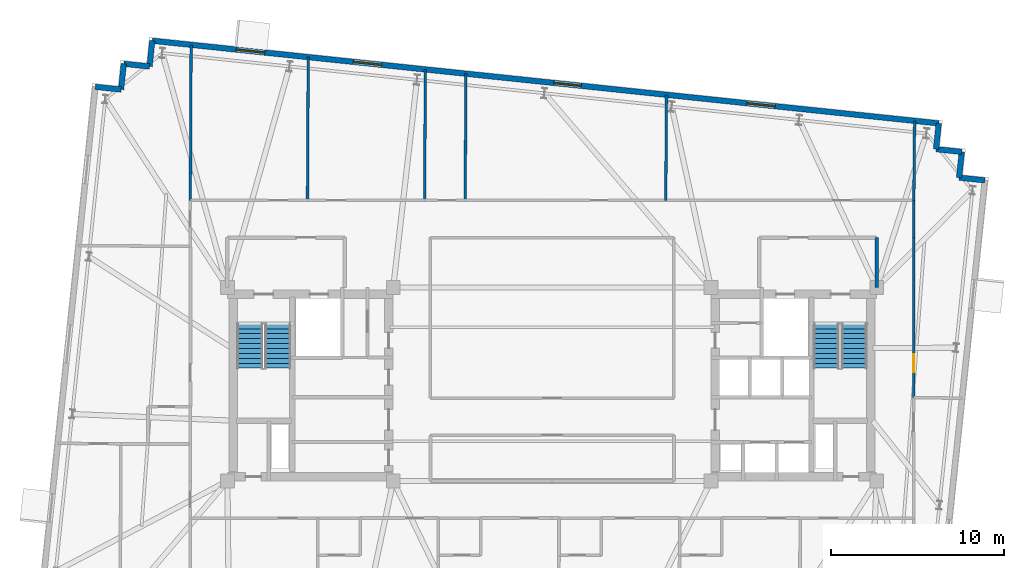
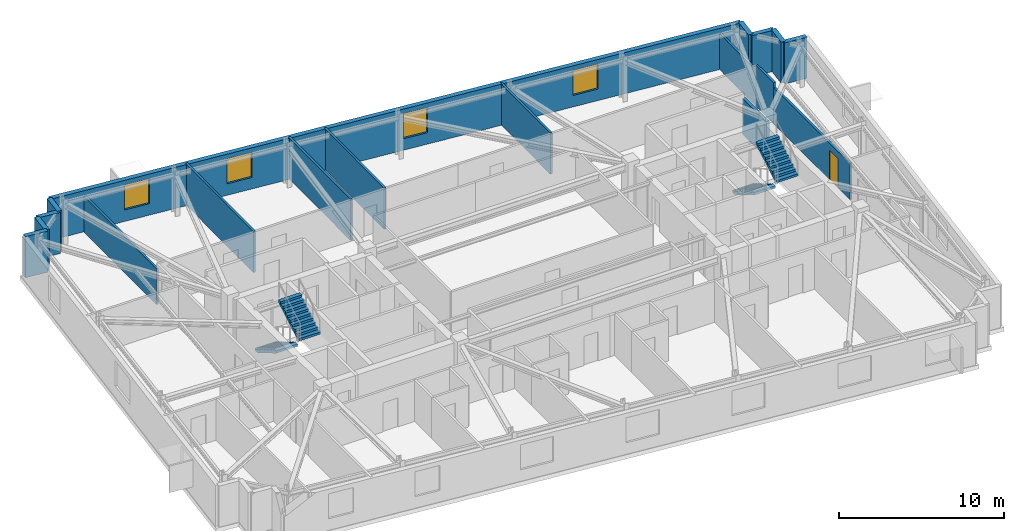
# One storey, part 9 of 11: 18 walls, 4 stair flights, 4 windows, 1 door, 5 openings, 2 elements without a shape of their own.
"""IFC4 building model written with IfcOpenShell, lengths in metres."""

from ifc_helpers import new_model, si_unit, direction, frame, frame_2d, origin, place, context, subcontext, project, spatial, polyline, rectangle, outline, extrude, material, layer, layer_set, type_object, element, fill, aggregate, save


model = new_model("IFC4")

# Units and contexts
model_context = context("Model", 3, precision=1e-05, world=origin(), true_north=direction((0.0, 1.0)))
body_context = subcontext(model_context, "Body", "Model", "MODEL_VIEW")
ifc_project = project(units=[si_unit("LENGTHUNIT", "METRE"), si_unit("AREAUNIT", "SQUARE_METRE"), si_unit("VOLUMEUNIT", "CUBIC_METRE"), si_unit("PLANEANGLEUNIT", "RADIAN"), si_unit("MASSUNIT", "GRAM", prefix="KILO")], contexts=[model_context])

# Site, building, storey
site_placement = place(None, origin())
site = spatial("IfcSite", under=ifc_project, at=site_placement, CompositionType="ELEMENT")
building_placement = place(site_placement, origin())
building = spatial("IfcBuilding", under=site, at=building_placement, Name="Qobustan Lattice House", CompositionType="ELEMENT")
storey_placement = place(building_placement, frame((0.0, 0.0, 216.5)))
storey = spatial("IfcBuildingStorey", under=building, at=storey_placement, Name="L61", CompositionType="ELEMENT", Elevation=216.5)

# Walls
ifc_material_1 = material(Name="Precast concrete C40/50", Category="concrete")
ifc_layer_1 = layer(ifc_material_1, 0.320068359375)
ifc_layer_set_1 = layer_set([ifc_layer_1], Name="Precast concrete C40/50")
wall_type_1 = type_object("IfcWallType", Name="WAL-EXT-STONE-320", PredefinedType="SOLIDWALL", material=ifc_layer_set_1)
wall_1_placement = place(storey_placement, frame((-26.452880859375, 17.228515625, 0.0), z_axis=(0.0, 0.0, 1.0), x_axis=(0.994508128223, -0.104659366031, 0.0)))
element("IfcWall", 1, at=wall_1_placement, inside=storey, type_object=wall_type_1, Name="L61 exterior limestone-clad wall 6", PredefinedType="SOLIDWALL", context=body_context, shape_type="SweptSolid", body=[
    extrude(rectangle(XDim=1.5, YDim=0.320068359375, at=frame_2d((0.75, 0.0))), origin(), (0.0, 0.0, 1.0), 3.0400390625),
])
wall_2_placement = place(storey_placement, frame((-24.961181640625, 17.071533203125, 0.0), z_axis=(0.0, 0.0, 1.0), x_axis=(0.104642427191, 0.994509910675, 0.0)))
element("IfcWall", 2, at=wall_2_placement, inside=storey, type_object=wall_type_1, Name="L61 exterior limestone-clad wall 7", PredefinedType="SOLIDWALL", context=body_context, shape_type="SweptSolid", body=[
    extrude(rectangle(XDim=1.500244140625, YDim=0.320068359375, at=frame_2d((0.75, 0.0))), origin(), (0.0, 0.0, 1.0), 3.0400390625),
])
wall_3_placement = place(storey_placement, frame((-24.80419921875, 18.5634765625, 0.0), z_axis=(0.0, 0.0, 1.0), x_axis=(0.994508128223, -0.104659366031, 0.0)))
element("IfcWall", 3, at=wall_3_placement, inside=storey, type_object=wall_type_1, Name="L61 exterior limestone-clad wall 8", PredefinedType="SOLIDWALL", context=body_context, shape_type="SweptSolid", body=[
    extrude(rectangle(XDim=1.5, YDim=0.320068359375, at=frame_2d((0.75, 0.0))), origin(), (0.0, 0.0, 1.0), 3.0400390625),
])
wall_4_placement = place(storey_placement, frame((-23.3125, 18.406494140625, 0.0), z_axis=(0.0, 0.0, 1.0), x_axis=(0.104481464157, 0.994526834051, 0.0)))
element("IfcWall", 4, at=wall_4_placement, inside=storey, type_object=wall_type_1, Name="L61 exterior limestone-clad wall 9", PredefinedType="SOLIDWALL", context=body_context, shape_type="SweptSolid", body=[
    extrude(rectangle(XDim=1.500244140625, YDim=0.320068359375, at=frame_2d((0.75, 0.0))), origin(), (0.0, 0.0, 1.0), 3.0400390625),
])

# Wall, openings, windows
wall_5_placement = place(storey_placement, frame((-23.15576171875, 19.8984375, 0.0), z_axis=(0.0, 0.0, 1.0), x_axis=(0.994522001802, -0.104527450613, 0.0)))
wall_5 = element("IfcWall", 5, at=wall_5_placement, inside=storey, type_object=wall_type_1, Name="L61 exterior limestone-clad wall 10", PredefinedType="SOLIDWALL", context=body_context, shape_type="SweptSolid", body=[
    extrude(rectangle(XDim=45.800048828125, YDim=0.320068359375, at=frame_2d((22.89990234375, 0.0))), origin(), (0.0, 0.0, 1.0), 3.0400390625),
])
opening_1_placement = place(wall_5_placement, frame((4.89990234375, 0.0, 0.85009765625)))
opening_1 = element("IfcOpeningElement", 6, at=opening_1_placement, cuts=wall_5, Name="Opening WN-09", PredefinedType="OPENING", context=body_context, shape_type="SweptSolid", body=[
    extrude(rectangle(XDim=1.64990234375, YDim=1.85009765625, at=frame_2d((0.824951171875, 0.925048828125))), frame((0.0, 0.169921875, 0.0), z_axis=(0.0, -1.0, 0.0), x_axis=(1.0, 0.0, 0.0)), (0.0, 0.0, 1.0), 0.340087890625),
])
opening_2_placement = place(wall_5_placement, frame((11.7060546875, 0.0, 0.85009765625)))
opening_2 = element("IfcOpeningElement", 7, at=opening_2_placement, cuts=wall_5, Name="Opening WN-09", PredefinedType="OPENING", context=body_context, shape_type="SweptSolid", body=[
    extrude(rectangle(XDim=1.64990234375, YDim=1.85009765625, at=frame_2d((0.824951171875, 0.925048828125))), frame((0.0, 0.169921875, 0.0), z_axis=(0.0, -1.0, 0.0), x_axis=(1.0, 0.0, 0.0)), (0.0, 0.0, 1.0), 0.340087890625),
])
opening_3_placement = place(wall_5_placement, frame((23.381103515625, 0.0, 0.85009765625)))
opening_3 = element("IfcOpeningElement", 8, at=opening_3_placement, cuts=wall_5, Name="Opening WN-13", PredefinedType="OPENING", context=body_context, shape_type="SweptSolid", body=[
    extrude(rectangle(XDim=1.60009765625, YDim=1.85009765625, at=frame_2d((0.800048828125, 0.925048828125))), frame((0.0, 0.169921875, 0.0), z_axis=(0.0, -1.0, 0.0), x_axis=(1.0, 0.0, 0.0)), (0.0, 0.0, 1.0), 0.340087890625),
])
opening_4_placement = place(wall_5_placement, frame((34.628173828125, 0.0, 0.85009765625)))
opening_4 = element("IfcOpeningElement", 9, at=opening_4_placement, cuts=wall_5, Name="Opening WN-09", PredefinedType="OPENING", context=body_context, shape_type="SweptSolid", body=[
    extrude(rectangle(XDim=1.64990234375, YDim=1.85009765625, at=frame_2d((0.824951171875, 0.925048828125))), frame((0.0, 0.169921875, 0.0), z_axis=(0.0, -1.0, 0.0), x_axis=(1.0, 0.0, 0.0)), (0.0, 0.0, 1.0), 0.340087890625),
])
ifc_material_2 = material(Name="Double-glazed low-E aluminium window", Category="aluminium")
window_type_1 = type_object("IfcWindowType", Name="WIN-BED-1600x1850", PartitioningType="SINGLE_PANEL", PredefinedType="WINDOW", material=ifc_material_2)
window_1_placement = place(opening_3_placement, origin())
window_1 = element("IfcWindow", 10, at=window_1_placement, inside=storey, type_object=window_type_1, Name="L61 Laundry utility room window", OverallHeight=1.85009765625, OverallWidth=1.60009765625, PartitioningType="SINGLE_PANEL", PredefinedType="WINDOW", context=body_context, shape_type="SweptSolid", body=[
    extrude(rectangle(XDim=1.60009765625, YDim=1.85009765625, at=frame_2d((0.800048828125, 0.925048828125))), frame((0.0, 0.030029296875, 0.0), z_axis=(0.0, -1.0, 0.0), x_axis=(1.0, 0.0, 0.0)), (0.0, 0.0, 1.0), 0.06005859375),
])
fill(opening_3, window_1)
ifc_material_3 = material(Name="Double-glazed low-E aluminium window", Category="aluminium")
window_type_2 = type_object("IfcWindowType", Name="WIN-STU-1650x1850", PartitioningType="SINGLE_PANEL", PredefinedType="WINDOW", material=ifc_material_3)
window_2_placement = place(opening_1_placement, origin())
window_2 = element("IfcWindow", 11, at=window_2_placement, inside=storey, type_object=window_type_2, Name="L61 Focus study room N1A window", OverallHeight=1.85009765625, OverallWidth=1.64990234375, PartitioningType="SINGLE_PANEL", PredefinedType="WINDOW", context=body_context, shape_type="SweptSolid", body=[
    extrude(rectangle(XDim=1.64990234375, YDim=1.85009765625, at=frame_2d((0.824951171875, 0.925048828125))), frame((0.0, 0.030029296875, 0.0), z_axis=(0.0, -1.0, 0.0), x_axis=(1.0, 0.0, 0.0)), (0.0, 0.0, 1.0), 0.06005859375),
])
fill(opening_1, window_2)
window_3_placement = place(opening_2_placement, origin())
window_3 = element("IfcWindow", 12, at=window_3_placement, inside=storey, type_object=window_type_2, Name="L61 Focus study room N1B window", OverallHeight=1.85009765625, OverallWidth=1.64990234375, PartitioningType="SINGLE_PANEL", PredefinedType="WINDOW", context=body_context, shape_type="SweptSolid", body=[
    extrude(rectangle(XDim=1.64990234375, YDim=1.85009765625, at=frame_2d((0.824951171875, 0.925048828125))), frame((0.0, 0.030029296875, 0.0), z_axis=(0.0, -1.0, 0.0), x_axis=(1.0, 0.0, 0.0)), (0.0, 0.0, 1.0), 0.06005859375),
])
fill(opening_2, window_3)
window_4_placement = place(opening_4_placement, origin())
window_4 = element("IfcWindow", 13, at=window_4_placement, inside=storey, type_object=window_type_2, Name="L61 Focus study room N3 window", OverallHeight=1.85009765625, OverallWidth=1.64990234375, PartitioningType="SINGLE_PANEL", PredefinedType="WINDOW", context=body_context, shape_type="SweptSolid", body=[
    extrude(rectangle(XDim=1.64990234375, YDim=1.85009765625, at=frame_2d((0.824951171875, 0.925048828125))), frame((0.0, 0.030029296875, 0.0), z_axis=(0.0, -1.0, 0.0), x_axis=(1.0, 0.0, 0.0)), (0.0, 0.0, 1.0), 0.06005859375),
])
fill(opening_4, window_4)

# Walls
wall_6_placement = place(storey_placement, frame((22.393310546875, 15.111083984375, 0.0), z_axis=(0.0, 0.0, 1.0), x_axis=(-0.104481464157, -0.994526834051, 0.0)))
element("IfcWall", 14, at=wall_6_placement, inside=storey, type_object=wall_type_1, Name="L61 exterior limestone-clad wall 11", PredefinedType="SOLIDWALL", context=body_context, shape_type="SweptSolid", body=[
    extrude(rectangle(XDim=1.500244140625, YDim=0.320068359375, at=frame_2d((0.75, 0.0))), origin(), (0.0, 0.0, 1.0), 3.0400390625),
])
for number, where, z_axis, x_axis, name in (
    (15, (22.236572265625, 13.619140625, 0.0), (0.0, 0.0, 1.0), (0.994525057048, -0.104498377516, 0.0), "L61 exterior limestone-clad wall 12"),
    (16, (23.728271484375, 13.46240234375, 0.0), (0.0, 0.0, 1.0), (-0.104498377516, -0.994525057048, 0.0), "L61 exterior limestone-clad wall 13"),
    (17, (23.571533203125, 11.970703125, 0.0), (0.0, 0.0, 1.0), (0.994508128223, -0.104659366031, 0.0), "L61 exterior limestone-clad wall 14"),
):
    element("IfcWall", number, at=place(storey_placement, frame(where, z_axis=z_axis, x_axis=x_axis)), inside=storey, type_object=wall_type_1, Name=name, PredefinedType="SOLIDWALL", context=body_context, shape_type="SweptSolid", body=[
        extrude(rectangle(XDim=1.5, YDim=0.320068359375, at=frame_2d((0.75, 0.0))), origin(), (0.0, 0.0, 1.0), 3.0400390625),
    ])
ifc_material_4 = material(Name="Acoustic twin-stud gypsum partition", Category="gypsum")
ifc_layer_2 = layer(ifc_material_4, 0.14990234375)
ifc_layer_set_2 = layer_set([ifc_layer_2], Name="Acoustic twin-stud gypsum partition")
wall_type_2 = type_object("IfcWallType", Name="WAL-PART-150", PredefinedType="PARTITIONING", material=ifc_layer_set_2)
wall_7_placement = place(storey_placement, frame((20.949951171875, 10.64990234375, 0.0), z_axis=(0.0, 0.0, 1.0), x_axis=(0.0, -1.0, 0.0)))
element("IfcWall", 18, at=wall_7_placement, inside=storey, type_object=wall_type_2, Name="L61 interior partition 40", PredefinedType="PARTITIONING", context=body_context, shape_type="SweptSolid", body=[
    extrude(rectangle(XDim=2.14990234375, YDim=0.14990234375, at=frame_2d((1.074951171875, 0.0))), origin(), (0.0, 0.0, 1.0), 3.0400390625),
])

# Wall, opening, door
wall_8_placement = place(storey_placement, frame((20.949951171875, 8.5, 0.0), z_axis=(0.0, 0.0, 1.0), x_axis=(0.0, -1.0, 0.0)))
wall_8 = element("IfcWall", 19, at=wall_8_placement, inside=storey, type_object=wall_type_2, Name="L61 interior partition 64", PredefinedType="PARTITIONING", context=body_context, shape_type="SweptSolid", body=[
    extrude(rectangle(XDim=9.26318359375, YDim=0.14990234375, at=frame_2d((4.631591796875, 0.0))), origin(), (0.0, 0.0, 1.0), 2.695068359375),
])
opening_5_placement = place(wall_8_placement, frame((6.75146484375, 0.0, 0.0)))
opening_5 = element("IfcOpeningElement", 20, at=opening_5_placement, cuts=wall_8, Name="Opening ID-02", PredefinedType="OPENING", context=body_context, shape_type="SweptSolid", body=[
    extrude(rectangle(XDim=1.050048828125, YDim=2.14990234375, at=frame_2d((0.52490234375, 1.074951171875))), frame((0.0, 0.0849609375, 0.0), z_axis=(0.0, -1.0, 0.0), x_axis=(1.0, 0.0, 0.0)), (0.0, 0.0, 1.0), 0.169921875),
])
ifc_material_5 = material(Name="Persian walnut timber and steel frame door", Category="steel")
door_type = type_object("IfcDoorType", Name="DOR-STUDY-1050x2150", OperationType="NOTDEFINED", PredefinedType="DOOR", material=ifc_material_5)
door_placement = place(opening_5_placement, origin())
door = element("IfcDoor", 21, at=door_placement, inside=storey, type_object=door_type, Name="L61 East wing spine gallery to Collaborative tutorial room door", OperationType="SINGLE_SWING_LEFT", OverallHeight=2.14990234375, OverallWidth=1.050048828125, PredefinedType="DOOR", context=body_context, shape_type="SweptSolid", body=[
    extrude(rectangle(XDim=1.050048828125, YDim=2.14990234375, at=frame_2d((0.52490234375, 1.074951171875))), frame((0.0, 0.02490234375, 0.0), z_axis=(0.0, -1.0, 0.0), x_axis=(1.0, 0.0, 0.0)), (0.0, 0.0, 1.0), 0.050048828125),
])
fill(opening_5, door)

# Walls
wall_9_placement = place(storey_placement, frame((-20.906005859375, 19.661865234375, 0.0), z_axis=(0.0, 0.0, 1.0), x_axis=(-0.004876272857, -0.999988110911, 0.0)))
element("IfcWall", 22, at=wall_9_placement, inside=storey, type_object=wall_type_2, Name="L61 interior partition 79", PredefinedType="PARTITIONING", context=body_context, shape_type="SweptSolid", body=[
    extrude(rectangle(XDim=9.011962890625, YDim=0.14990234375, at=frame_2d((4.505859375, 0.0))), origin(), (0.0, 0.0, 1.0), 2.6650390625),
])
wall_10_placement = place(storey_placement, frame((20.949951171875, 10.64990234375, 0.0), z_axis=(0.0, 0.0, 1.0), x_axis=(0.009535990233, 0.999954531411, 0.0)))
element("IfcWall", 23, at=wall_10_placement, inside=storey, type_object=wall_type_2, Name="L61 interior partition 82", PredefinedType="PARTITIONING", context=body_context, shape_type="SweptSolid", body=[
    extrude(rectangle(XDim=4.6083984375, YDim=0.14990234375, at=frame_2d((2.30419921875, 0.0))), origin(), (0.0, 0.0, 1.0), 2.6650390625),
])
wall_11_placement = place(storey_placement, frame((-14.12255859375, 18.948974609375, 0.0), z_axis=(0.0, 0.0, 1.0), x_axis=(-0.005295133602, -0.999985980682, 0.0)))
element("IfcWall", 24, at=wall_11_placement, inside=storey, type_object=wall_type_2, Name="L61 interior partition 83", PredefinedType="PARTITIONING", context=body_context, shape_type="SweptSolid", body=[
    extrude(rectangle(XDim=8.299072265625, YDim=0.14990234375, at=frame_2d((4.1494140625, 0.0))), origin(), (0.0, 0.0, 1.0), 3.0400390625),
])
wall_12_placement = place(storey_placement, frame((6.626953125, 16.76806640625, 0.0), z_axis=(0.0, 0.0, 1.0), x_axis=(-0.007182576093, -0.999974204968, 0.0)))
element("IfcWall", 25, at=wall_12_placement, inside=storey, type_object=wall_type_2, Name="L61 interior partition 86", PredefinedType="PARTITIONING", context=body_context, shape_type="SweptSolid", body=[
    extrude(rectangle(XDim=6.118408203125, YDim=0.14990234375, at=frame_2d((3.05908203125, 0.0))), origin(), (0.0, 0.0, 1.0), 3.0400390625),
])
ifc_material_6 = material(Name="Two-hour gypsum fireboard acoustic partition", Category="gypsum")
ifc_layer_3 = layer(ifc_material_6, 0.199951171875)
ifc_layer_set_3 = layer_set([ifc_layer_3], Name="Two-hour gypsum fireboard acoustic partition")
wall_type_3 = type_object("IfcWallType", Name="WAL-PROT-200", PredefinedType="PARTITIONING", material=ifc_layer_set_3)
wall_13_placement = place(storey_placement, frame((18.800048828125, 5.60009765625, 0.0), z_axis=(0.0, 0.0, 1.0), x_axis=(0.0, 1.0, 0.0)))
element("IfcWall", 26, at=wall_13_placement, inside=storey, type_object=wall_type_3, Name="L61 interior partition 19", PredefinedType="PARTITIONING", context=body_context, shape_type="SweptSolid", body=[
    extrude(rectangle(XDim=2.89990234375, YDim=0.199951171875, at=frame_2d((1.449951171875, 0.0))), origin(), (0.0, 0.0, 1.0), 2.6650390625),
])
ifc_material_7 = material(Name="Moisture-resistant acoustic plumbing wall", Category="gypsum")
ifc_layer_4 = layer(ifc_material_7, 0.14990234375)
ifc_layer_set_4 = layer_set([ifc_layer_4], Name="Moisture-resistant acoustic plumbing wall")
wall_type_4 = type_object("IfcWallType", Name="WAL-WET-150", PredefinedType="PLUMBINGWALL", material=ifc_layer_set_4)
wall_14_placement = place(storey_placement, frame((-7.339111328125, 18.236083984375, 0.0), z_axis=(0.0, 0.0, 1.0), x_axis=(-0.005792713287, -0.999983222096, 0.0)))
element("IfcWall", 27, at=wall_14_placement, inside=storey, type_object=wall_type_4, Name="L61 interior partition 84", PredefinedType="PLUMBINGWALL", context=body_context, shape_type="SweptSolid", body=[
    extrude(rectangle(XDim=7.58642578125, YDim=0.14990234375, at=frame_2d((3.793212890625, 0.0))), origin(), (0.0, 0.0, 1.0), 3.0400390625),
])
wall_15_placement = place(storey_placement, frame((-4.989013671875, 17.989013671875, 0.0), z_axis=(0.0, 0.0, 1.0), x_axis=(-0.005987717415, -0.999982073459, 0.0)))
element("IfcWall", 28, at=wall_15_placement, inside=storey, type_object=wall_type_4, Name="L61 interior partition 85", PredefinedType="PLUMBINGWALL", context=body_context, shape_type="SweptSolid", body=[
    extrude(rectangle(XDim=7.33935546875, YDim=0.14990234375, at=frame_2d((3.669677734375, 0.0))), origin(), (0.0, 0.0, 1.0), 3.0400390625),
])

# Stair, stair flights
ifc_material_8 = material(Name="Concrete C40/50", Category="concrete")
stair_type = type_object("IfcStairType", Name="STR-CORE-DOGLEG", PredefinedType="HALF_TURN_STAIR", material=ifc_material_8)
stair_1_placement = place(storey_placement, origin())
stair_1 = element("IfcStair", 29, at=stair_1_placement, inside=storey, type_object=stair_type, Name="L61 West protected exit stair ST-W1", PredefinedType="HALF_TURN_STAIR")
ifc_material_9 = material(Name="Concrete C40/50", Category="concrete")
stair_flight_type = type_object("IfcStairFlightType", Name="SFL-RC-1500", PredefinedType="STRAIGHT", material=ifc_material_9)
stair_flight_1_placement = place(storey_placement, frame((-17.5, 3.5, 0.0), z_axis=(0.0, 0.0, 1.0), x_axis=(0.0, -1.0, 0.0)))
stair_flight_1 = element("IfcStairFlight", 30, at=stair_flight_1_placement, type_object=stair_flight_type, Name="ST-W1 flight 1", NumberOfRisers=10, NumberOfTreads=9, PredefinedType="STRAIGHT", RiserHeight=0.1675, TreadLength=0.285, context=body_context, shape_type="SweptSolid", body=[
    extrude(outline(polyline([(0.0, 0.0), (0.0, 0.16748046875), (0.284912109375, 0.16748046875), (0.284912109375, 0.3349609375), (0.570068359375, 0.3349609375), (0.570068359375, 0.50244140625), (0.85498046875, 0.50244140625), (0.85498046875, 0.669921875), (1.139892578125, 0.669921875), (1.139892578125, 0.83740234375), (1.425048828125, 0.83740234375), (1.425048828125, 1.0048828125), (1.7099609375, 1.0048828125), (1.7099609375, 1.172607421875), (1.9951171875, 1.172607421875), (1.9951171875, 1.340087890625), (2.280029296875, 1.340087890625), (2.280029296875, 1.507568359375), (2.56494140625, 1.507568359375), (2.56494140625, 1.675048828125), (2.56494140625, 1.333740234375), (0.2958984375, 0.0), (0.0, 0.0)])), frame((0.0, 0.75, 0.0), z_axis=(0.0, -1.0, 0.0), x_axis=(1.0, 0.0, 0.0)), (0.0, 0.0, 1.0), 1.5),
])
stair_flight_2_placement = place(storey_placement, frame((-15.8798828125, 0.93505859375, 1.675048828125), z_axis=(0.0, 0.0, 1.0), x_axis=(0.0, 1.0, 0.0)))
stair_flight_2 = element("IfcStairFlight", 31, at=stair_flight_2_placement, type_object=stair_flight_type, Name="ST-W1 flight 2", NumberOfRisers=10, NumberOfTreads=9, PredefinedType="STRAIGHT", RiserHeight=0.1675, TreadLength=0.285, context=body_context, shape_type="SweptSolid", body=[
    extrude(outline(polyline([(0.0, 0.0), (0.0, 0.16748046875), (0.284912109375, 0.16748046875), (0.284912109375, 0.3349609375), (0.570068359375, 0.3349609375), (0.570068359375, 0.50244140625), (0.85498046875, 0.50244140625), (0.85498046875, 0.669921875), (1.139892578125, 0.669921875), (1.139892578125, 0.83740234375), (1.425048828125, 0.83740234375), (1.425048828125, 1.0048828125), (1.7099609375, 1.0048828125), (1.7099609375, 1.172607421875), (1.9951171875, 1.172607421875), (1.9951171875, 1.340087890625), (2.280029296875, 1.340087890625), (2.280029296875, 1.507568359375), (2.56494140625, 1.507568359375), (2.56494140625, 1.675048828125), (2.56494140625, 1.333740234375), (0.2958984375, 0.0), (0.0, 0.0)])), frame((0.0, 0.75, 0.0), z_axis=(0.0, -1.0, 0.0), x_axis=(1.0, 0.0, 0.0)), (0.0, 0.0, 1.0), 1.5),
])
aggregate(stair_1, [stair_flight_1, stair_flight_2])

stair_2_placement = place(storey_placement, origin())
stair_2 = element("IfcStair", 32, at=stair_2_placement, inside=storey, type_object=stair_type, Name="L61 East protected exit stair ST-E1", PredefinedType="HALF_TURN_STAIR")
stair_flight_3_placement = place(storey_placement, frame((15.8798828125, 3.5, 0.0), z_axis=(0.0, 0.0, 1.0), x_axis=(0.0, -1.0, 0.0)))
stair_flight_3 = element("IfcStairFlight", 33, at=stair_flight_3_placement, type_object=stair_flight_type, Name="ST-E1 flight 1", NumberOfRisers=10, NumberOfTreads=9, PredefinedType="STRAIGHT", RiserHeight=0.1675, TreadLength=0.285, context=body_context, shape_type="SweptSolid", body=[
    extrude(outline(polyline([(0.0, 0.0), (0.0, 0.16748046875), (0.284912109375, 0.16748046875), (0.284912109375, 0.3349609375), (0.570068359375, 0.3349609375), (0.570068359375, 0.50244140625), (0.85498046875, 0.50244140625), (0.85498046875, 0.669921875), (1.139892578125, 0.669921875), (1.139892578125, 0.83740234375), (1.425048828125, 0.83740234375), (1.425048828125, 1.0048828125), (1.7099609375, 1.0048828125), (1.7099609375, 1.172607421875), (1.9951171875, 1.172607421875), (1.9951171875, 1.340087890625), (2.280029296875, 1.340087890625), (2.280029296875, 1.507568359375), (2.56494140625, 1.507568359375), (2.56494140625, 1.675048828125), (2.56494140625, 1.333740234375), (0.2958984375, 0.0), (0.0, 0.0)])), frame((0.0, 0.75, 0.0), z_axis=(0.0, -1.0, 0.0), x_axis=(1.0, 0.0, 0.0)), (0.0, 0.0, 1.0), 1.5),
])
stair_flight_4_placement = place(storey_placement, frame((17.5, 0.93505859375, 1.675048828125), z_axis=(0.0, 0.0, 1.0), x_axis=(0.0, 1.0, 0.0)))
stair_flight_4 = element("IfcStairFlight", 34, at=stair_flight_4_placement, type_object=stair_flight_type, Name="ST-E1 flight 2", NumberOfRisers=10, NumberOfTreads=9, PredefinedType="STRAIGHT", RiserHeight=0.1675, TreadLength=0.285, context=body_context, shape_type="SweptSolid", body=[
    extrude(outline(polyline([(0.0, 0.0), (0.0, 0.16748046875), (0.284912109375, 0.16748046875), (0.284912109375, 0.3349609375), (0.570068359375, 0.3349609375), (0.570068359375, 0.50244140625), (0.85498046875, 0.50244140625), (0.85498046875, 0.669921875), (1.139892578125, 0.669921875), (1.139892578125, 0.83740234375), (1.425048828125, 0.83740234375), (1.425048828125, 1.0048828125), (1.7099609375, 1.0048828125), (1.7099609375, 1.172607421875), (1.9951171875, 1.172607421875), (1.9951171875, 1.340087890625), (2.280029296875, 1.340087890625), (2.280029296875, 1.507568359375), (2.56494140625, 1.507568359375), (2.56494140625, 1.675048828125), (2.56494140625, 1.333740234375), (0.2958984375, 0.0), (0.0, 0.0)])), frame((0.0, 0.75, 0.0), z_axis=(0.0, -1.0, 0.0), x_axis=(1.0, 0.0, 0.0)), (0.0, 0.0, 1.0), 1.5),
])
aggregate(stair_2, [stair_flight_3, stair_flight_4])

save(model, "model.ifc")
